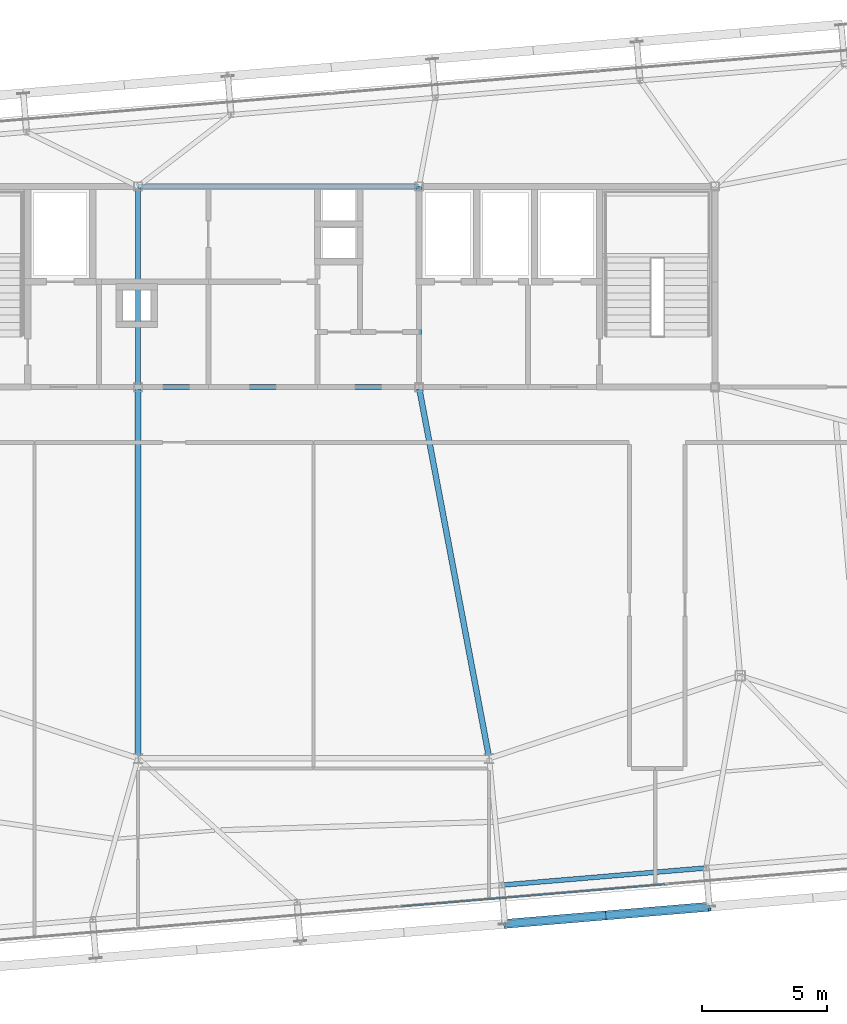
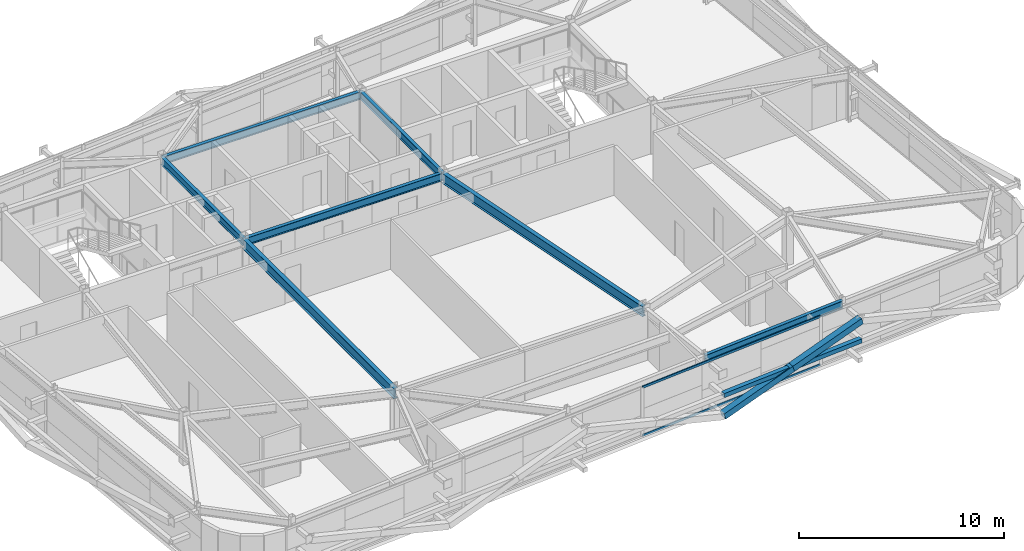
# One storey, part 15 of 37: 7 beams, 5 members, 1 element without a shape of its own.
"""IFC4 building model written with IfcOpenShell, lengths in metres."""

from ifc_helpers import new_model, si_unit, direction, frame, origin, origin_2d, place, context, subcontext, project, spatial, hollow_rectangle, i_section, extrude, source, transform, mapped, material, layer, layer_set, material_profile, profile_set, type_object, element, aggregate, save


model = new_model("IFC4")

# Units and contexts
model_context = context("Model", 3, precision=1e-05, world=origin(), true_north=direction((0.0, 1.0)))
body_context = subcontext(model_context, "Body", "Model", "MODEL_VIEW")
ifc_project = project(units=[si_unit("LENGTHUNIT", "METRE"), si_unit("AREAUNIT", "SQUARE_METRE"), si_unit("VOLUMEUNIT", "CUBIC_METRE"), si_unit("PLANEANGLEUNIT", "RADIAN"), si_unit("MASSUNIT", "GRAM", prefix="KILO")], contexts=[model_context])

# Site, building, storey
site_placement = place(None, origin())
site = spatial("IfcSite", under=ifc_project, at=site_placement, CompositionType="ELEMENT")
building_placement = place(site_placement, origin())
building = spatial("IfcBuilding", under=site, at=building_placement, Name="Taldren Reach Tower", CompositionType="ELEMENT")
storey_placement = place(building_placement, frame((0.0, 0.0, 200.89990234375)))
storey = spatial("IfcBuildingStorey", under=building, at=storey_placement, Name="L61", CompositionType="ELEMENT", Elevation=200.89990234375)

# Beams
ifc_material_1 = material(Name="Steel Gr 350 (350PLUS)", Category="steel")
ifc_material_profile_1 = material_profile(ifc_material_1, i_section(OverallWidth=0.19091796875, OverallDepth=0.4599609375, WebThickness=0.010009765625, FlangeThickness=0.01611328125, at=origin_2d()), Name="460UB82.1")
ifc_profile_set_1 = profile_set([ifc_material_profile_1], Name="Steel Gr 350 (350PLUS)")
beam_type_1 = type_object("IfcBeamType", Name="BM-UB460A", PredefinedType="BEAM", material=ifc_profile_set_1)
shared_shape_1 = source(origin(), body_context, "Body", "SweptSolid", [
    extrude(i_section(OverallWidth=0.19091796875, OverallDepth=0.4599609375, WebThickness=0.010009765625, FlangeThickness=0.01611328125, at=origin_2d()), origin(), (0.0, 0.0, 1.0), 11.199951171875),
])
for number, where, z_axis, x_axis, name in (
    (1, (28.0, 24.0, 2.7001953125), (1.0, 0.0, 0.0), (0.0, 1.0, 0.0), "Core-spine girder L61-SP02"),
    (2, (28.0, 32.0, 2.7001953125), (1.0, 0.0, 0.0), (0.0, 1.0, 0.0), "Core-spine girder L61-SP05"),
):
    element("IfcBeam", number, at=place(storey_placement, frame(where, z_axis=z_axis, x_axis=x_axis)), inside=storey, type_object=beam_type_1, Name=name, PredefinedType="BEAM", context=body_context, shape_type="MappedRepresentation", body=[
        mapped(shared_shape_1, transform((0.0, 0.0, 0.0), scale=1.0)),
    ])
shared_shape_2 = source(origin(), body_context, "Body", "SweptSolid", [
    extrude(i_section(OverallWidth=0.19091796875, OverallDepth=0.4599609375, WebThickness=0.010009765625, FlangeThickness=0.01611328125, at=origin_2d()), origin(), (0.0, 0.0, 1.0), 8.0),
])
for number, where, z_axis, x_axis, name in (
    (3, (28.0, 24.0, 2.7001953125), (0.0, 1.0, 0.0), (-1.0, 0.0, 0.0), "Core-spine girder L61-SP07"),
    (4, (39.199951171875, 24.0, 2.7001953125), (0.0, 1.0, 0.0), (-1.0, 0.0, 0.0), "Core-spine girder L61-SP08"),
):
    element("IfcBeam", number, at=place(storey_placement, frame(where, z_axis=z_axis, x_axis=x_axis)), inside=storey, type_object=beam_type_1, Name=name, PredefinedType="BEAM", context=body_context, shape_type="MappedRepresentation", body=[
        mapped(shared_shape_2, transform((0.0, 0.0, 0.0), scale=1.0)),
    ])
ifc_material_profile_2 = material_profile(ifc_material_1, i_section(OverallWidth=0.22802734375, OverallDepth=0.60205078125, WebThickness=0.010498046875, FlangeThickness=0.014892578125, at=origin_2d()), Name="610UB101")
ifc_profile_set_2 = profile_set([ifc_material_profile_2], Name="Steel Gr 350 (350PLUS)")
beam_type_2 = type_object("IfcBeamType", Name="BM-UB610B", PredefinedType="BEAM", material=ifc_profile_set_2)
shared_shape_3 = source(origin(), body_context, "Body", "SweptSolid", [
    extrude(i_section(OverallWidth=0.22802734375, OverallDepth=0.60205078125, WebThickness=0.010498046875, FlangeThickness=0.014892578125, at=origin_2d()), origin(), (0.0, 0.0, 1.0), 14.800048828125),
])
beam_1_placement = place(storey_placement, frame((28.0, 24.0, 2.629150390625), z_axis=(0.0, -1.0, 0.0), x_axis=(1.0, 0.0, 0.0)))
element("IfcBeam", 5, at=beam_1_placement, inside=storey, type_object=beam_type_2, Name="Core-spine girder L61-SP14", PredefinedType="BEAM", context=body_context, shape_type="MappedRepresentation", body=[
    mapped(shared_shape_3, transform((0.0, 0.0, 0.0), scale=1.0)),
])
shared_shape_4 = source(origin(), body_context, "Body", "SweptSolid", [
    extrude(i_section(OverallWidth=0.22802734375, OverallDepth=0.60205078125, WebThickness=0.010498046875, FlangeThickness=0.014892578125, at=origin_2d()), origin(), (0.0, 0.0, 1.0), 15.0625),
])
beam_2_placement = place(storey_placement, frame((39.199951171875, 24.0, 2.629150390625), z_axis=(0.185894205668, -0.982569765614, 0.0), x_axis=(0.982569765614, 0.185894205668, 0.0)))
element("IfcBeam", 6, at=beam_2_placement, inside=storey, type_object=beam_type_2, Name="Core-spine girder L61-SP15", PredefinedType="BEAM", context=body_context, shape_type="MappedRepresentation", body=[
    mapped(shared_shape_4, transform((0.0, 0.0, 0.0), scale=1.0)),
])
ifc_material_profile_3 = material_profile(ifc_material_1, i_section(OverallWidth=0.18994140625, OverallDepth=0.4541015625, WebThickness=0.008544921875, FlangeThickness=0.0126953125, at=origin_2d()), Name="460UB67.1")
ifc_profile_set_3 = profile_set([ifc_material_profile_3], Name="Steel Gr 350 (350PLUS)")
beam_type_3 = type_object("IfcBeamType", Name="SP-UB460B", PredefinedType="SPANDREL", material=ifc_profile_set_3)
shared_shape_5 = source(origin(), body_context, "Body", "SweptSolid", [
    extrude(i_section(OverallWidth=0.18994140625, OverallDepth=0.4541015625, WebThickness=0.008544921875, FlangeThickness=0.0126953125, at=origin_2d()), origin(), (0.0, 0.0, 1.0), 8.179931640625),
])
beam_3_placement = place(storey_placement, frame((42.49365234375, 4.1474609375, 2.703125), z_axis=(0.99649182565, 0.08369015123, 0.0), x_axis=(-0.08369015123, 0.99649182565, 0.0)))
element("IfcBeam", 7, at=beam_3_placement, inside=storey, type_object=beam_type_3, Name="Perimeter spandrel B4 S4-S5 L61", PredefinedType="SPANDREL", context=body_context, shape_type="MappedRepresentation", body=[
    mapped(shared_shape_5, transform((0.0, 0.0, 0.0), scale=1.0)),
])

# Members
ifc_material_2 = material(Name="Steel Gr 350 (C350L0)", Category="steel")
ifc_material_profile_4 = material_profile(ifc_material_2, hollow_rectangle(XDim=0.25, YDim=0.25, WallThickness=0.010009765625, at=origin_2d()), Name="250x250x10.0SHS")
ifc_profile_set_4 = profile_set([ifc_material_profile_4], Name="Steel Gr 350 (C350L0)")
member_type_1 = type_object("IfcMemberType", Name="MB-POST250", PredefinedType="POST", material=ifc_profile_set_4)
shared_shape_6 = source(origin(), body_context, "Body", "SweptSolid", [
    extrude(hollow_rectangle(XDim=0.25, YDim=0.25, WallThickness=0.010009765625, at=origin_2d()), origin(), (0.0, 0.0, 1.0), 8.179931640625),
])
member_1_placement = place(storey_placement, frame((42.623291015625, 2.60302734375, 1.43505859375), z_axis=(0.996494523218, 0.083658025296, 0.0), x_axis=(-0.083658025296, 0.996494523218, 0.0)))
element("IfcMember", 8, at=member_1_placement, inside=storey, type_object=member_type_1, Name="Exoskeleton mid-height ring chord B4-S4 L61", PredefinedType="POST", context=body_context, shape_type="MappedRepresentation", body=[
    mapped(shared_shape_6, transform((0.0, 0.0, 0.0), scale=1.0)),
])
ifc_material_3 = material(Name="Steel Gr 450 (C450L0)", Category="steel")
ifc_material_profile_5 = material_profile(ifc_material_3, hollow_rectangle(XDim=0.360107421875, YDim=0.360107421875, WallThickness=0.0126953125, at=origin_2d()), Name="360x360x12.7SHS")
ifc_profile_set_5 = profile_set([ifc_material_profile_5], Name="Steel Gr 450 (C450L0)")
member_type_2 = type_object("IfcMemberType", Name="MB-EXO356", PredefinedType="BRACE", material=ifc_profile_set_5)
shared_shape_7 = source(origin(), body_context, "Body", "SweptSolid", [
    extrude(hollow_rectangle(XDim=0.360107421875, YDim=0.360107421875, WallThickness=0.0126953125, at=origin_2d()), origin(), (0.0, 0.0, 1.0), 4.2666015625),
])
for number, where, z_axis, x_axis, name in (
    (9, (42.623291015625, 2.60302734375, 0.22021484375), (0.955249107127, 0.080166766448, 0.284732212595), (-0.083628388178, 0.996497010879, 0.0), "Exoskeleton Diagrid Brace B4-S4 L61"),
    (10, (46.698974609375, 2.945068359375, 1.43505859375), (0.955229159097, 0.080222312271, 0.284783486572), (-0.083687662192, 0.996492034688, 0.0), "Exoskeleton Diagrid Brace B4-S4 L61"),
):
    element("IfcMember", number, at=place(storey_placement, frame(where, z_axis=z_axis, x_axis=x_axis)), inside=storey, type_object=member_type_2, Name=name, PredefinedType="BRACE", context=body_context, shape_type="MappedRepresentation", body=[
        mapped(shared_shape_7, transform((0.0, 0.0, 0.0), scale=1.0)),
    ])

# Curtain wall, members
ifc_material_4 = material(Name="Aluminium and Low-E Glass Unitised System", Category="aluminium")
ifc_layer = layer(ifc_material_4, 0.159912109375)
ifc_layer_set = layer_set([ifc_layer], Name="Aluminium and Low-E Glass Unitised System")
curtain_wall_type = type_object("IfcCurtainWallType", Name="CW-SYS-5", PredefinedType="NOTDEFINED", material=ifc_layer_set)
curtain_wall_placement = place(storey_placement, origin())
curtain_wall = element("IfcCurtainWall", 11, at=curtain_wall_placement, inside=storey, type_object=curtain_wall_type, Name="Unitised curtain wall CW-L61-S", PredefinedType="NOTDEFINED")
ifc_material_5 = material(Name="Anodised Aluminium 6063-T6", Category="aluminium")
ifc_material_profile_6 = material_profile(ifc_material_5, hollow_rectangle(XDim=0.06005859375, YDim=0.135009765625, WallThickness=0.00341796875, at=origin_2d()), Name="ALU-135x60x3.5RHS")
ifc_profile_set_6 = profile_set([ifc_material_profile_6], Name="Anodised Aluminium 6063-T6")
member_type_3 = type_object("IfcMemberType", Name="CW-TRN-150", PredefinedType="USERDEFINED", material=ifc_profile_set_6)
shared_shape_8 = source(origin(), body_context, "Body", "SweptSolid", [
    extrude(hollow_rectangle(XDim=0.06005859375, YDim=0.135009765625, WallThickness=0.00341796875, at=origin_2d()), origin(), (0.0, 0.0, 1.0), 10.55517578125),
])
member_2_placement = place(storey_placement, frame((38.495361328125, 3.300048828125, 0.030029296875), z_axis=(0.996494202684, 0.083661843255, 0.0), x_axis=(-0.083661843255, 0.996494202684, 0.0)))
member_2 = element("IfcMember", 12, at=member_2_placement, type_object=member_type_3, Name="CW-5 transom 3.1", ObjectType="TRANSOM", PredefinedType="USERDEFINED", context=body_context, shape_type="MappedRepresentation", body=[
    mapped(shared_shape_8, transform((0.0, 0.0, 0.0), scale=1.0)),
])
member_3_placement = place(storey_placement, frame((38.495361328125, 3.300048828125, 2.900146484375), z_axis=(0.996494202684, 0.083661843255, 0.0), x_axis=(-0.083661843255, 0.996494202684, 0.0)))
member_3 = element("IfcMember", 13, at=member_3_placement, type_object=member_type_3, Name="CW-5 transom 3.2", ObjectType="TRANSOM", PredefinedType="USERDEFINED", context=body_context, shape_type="MappedRepresentation", body=[
    mapped(shared_shape_8, transform((0.0, 0.0, 0.0), scale=1.0)),
])
aggregate(curtain_wall, [member_2, member_3])

save(model, "model.ifc")
